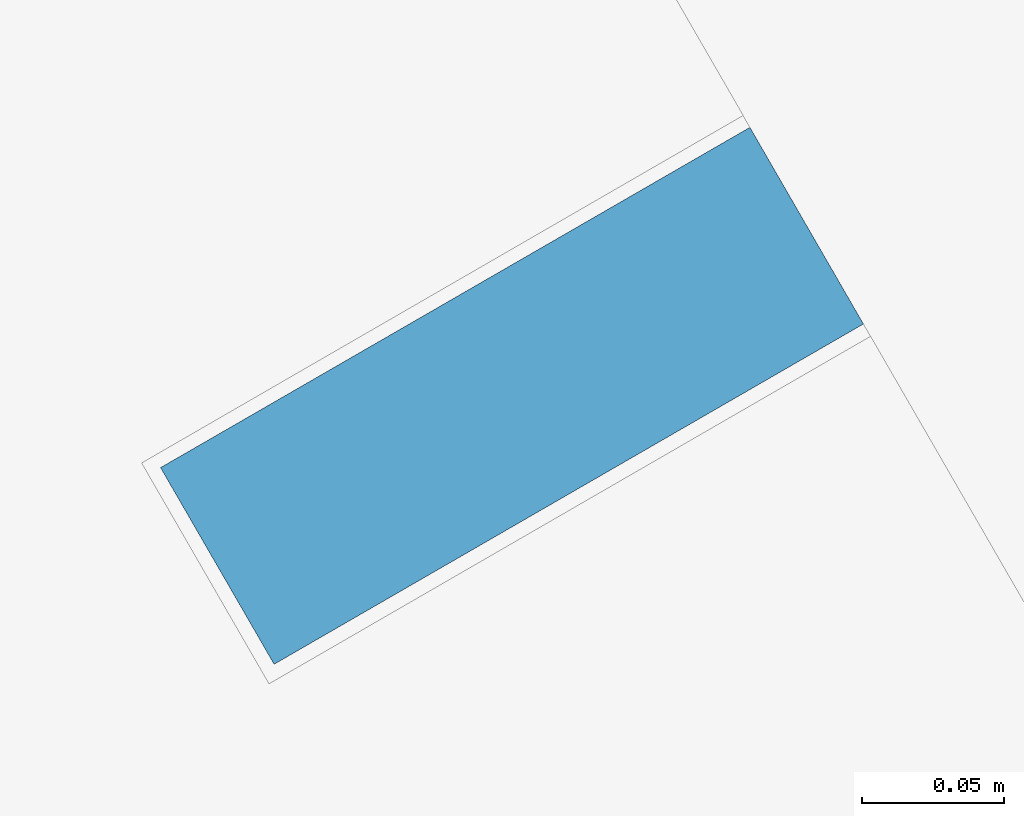
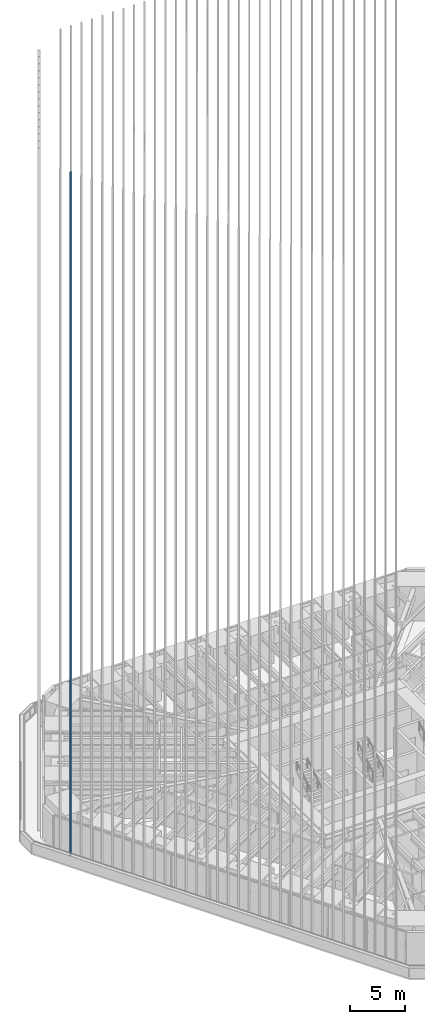
# One storey, part 120 of 238: 1 member, 1 element without a shape of its own.
"""IFC4 building model written with IfcOpenShell, lengths in metres."""

from ifc_helpers import new_model, si_unit, direction, frame, origin, origin_2d, place, context, subcontext, project, spatial, rectangle, extrude, material, material_profile, profile_set, type_object, element, aggregate, save


model = new_model("IFC4")

# Units and contexts
model_context = context("Model", 3, precision=1e-05, world=origin(), true_north=direction((0.0, 1.0)))
body_context = subcontext(model_context, "Body", "Model", "MODEL_VIEW")
ifc_project = project(units=[si_unit("LENGTHUNIT", "METRE"), si_unit("AREAUNIT", "SQUARE_METRE"), si_unit("VOLUMEUNIT", "CUBIC_METRE"), si_unit("PLANEANGLEUNIT", "RADIAN"), si_unit("MASSUNIT", "GRAM", prefix="KILO")], contexts=[model_context])

# Site, building, storey
site_placement = place(None, origin())
site = spatial("IfcSite", under=ifc_project, at=site_placement, CompositionType="ELEMENT")
building_placement = place(site_placement, origin())
building = spatial("IfcBuilding", under=site, at=building_placement, Name="Sandreach Pilgrim Tower", CompositionType="ELEMENT")
storey_placement = place(building_placement, frame((0.0, 0.0, 96.800048828125)))
storey = spatial("IfcBuildingStorey", under=building, at=storey_placement, Name="L23", CompositionType="ELEMENT", Elevation=96.800048828125)

# Curtain wall, member
ifc_material_1 = material(Name="Aluminium framed curtain wall", Category="aluminium")
curtain_wall_type = type_object("IfcCurtainWallType", Name="Hotel tower curtain wall", PredefinedType="NOTDEFINED", material=ifc_material_1)
curtain_wall_placement = place(storey_placement, origin())
curtain_wall = element("IfcCurtainWall", 1, at=curtain_wall_placement, inside=storey, type_object=curtain_wall_type, Name="CW-2 L23 SW", PredefinedType="NOTDEFINED")
ifc_material_2 = material(Name="Extruded terracotta on aluminium core", Category="masonry")
ifc_material_profile = material_profile(ifc_material_2, rectangle(XDim=0.080078125, YDim=0.239990234375, at=origin_2d()), Name="TBW 80X240")
ifc_profile_set = profile_set([ifc_material_profile], Name="Extruded terracotta on aluminium core")
member_type = type_object("IfcMemberType", Name="Terracotta baguette west", PredefinedType="USERDEFINED", material=ifc_profile_set)
member_placement = place(storey_placement, frame((-28.1044921875, 2.850830078125, 0.0), z_axis=(0.0, 0.0, 1.0), x_axis=(-0.5, 0.866025403784, 0.0)))
member = element("IfcMember", 2, at=member_placement, type_object=member_type, Name="Baguette Z2 SW32", ObjectType="BAGUETTE", PredefinedType="USERDEFINED", context=body_context, shape_type="SweptSolid", body=[
    extrude(rectangle(XDim=0.080078125, YDim=0.239990234375, at=origin_2d()), origin(), (0.0, 0.0, 1.0), 75.83984375),
])
aggregate(curtain_wall, [member])

save(model, "model.ifc")
